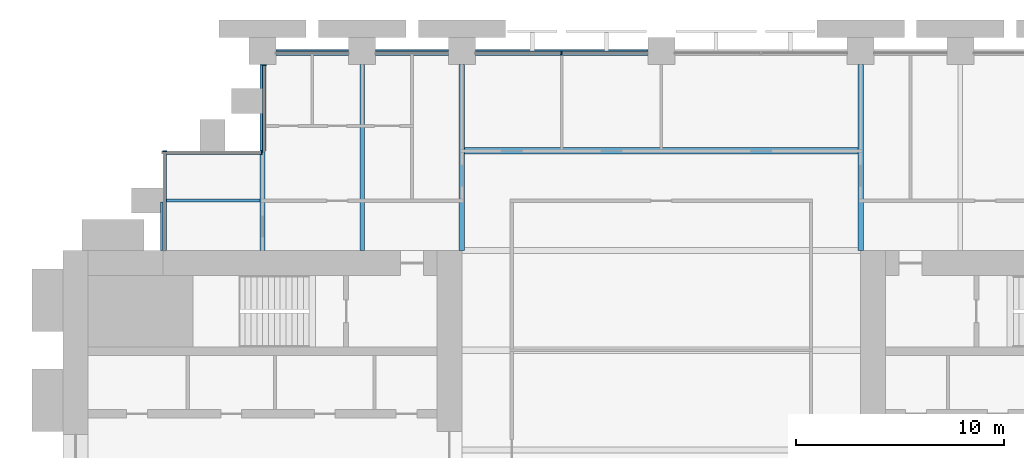
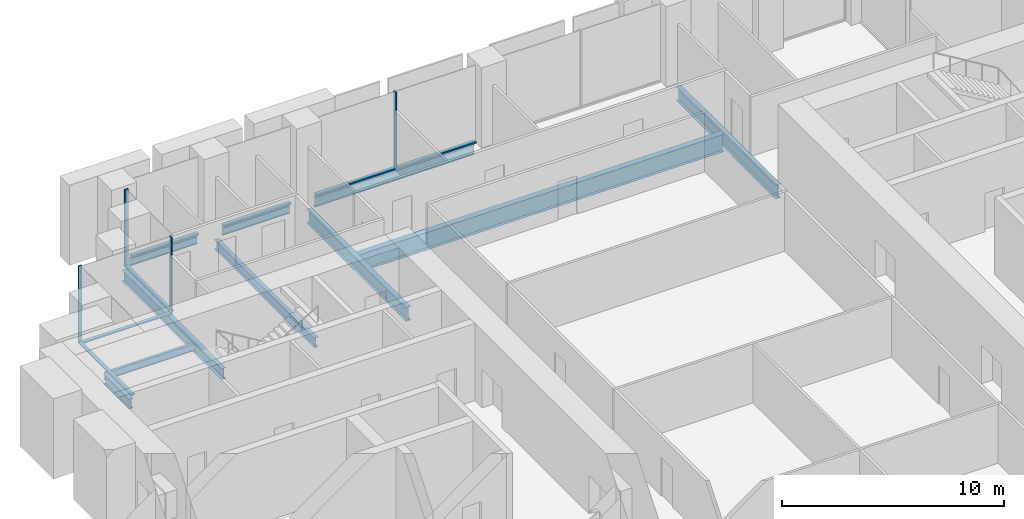
# One storey, part 14 of 30: 10 beams, 10 members, 4 elements without a shape of their own.
"""IFC4 building model written with IfcOpenShell, lengths in metres."""

from ifc_helpers import new_model, si_unit, direction, frame, origin, origin_2d, place, context, subcontext, project, spatial, rectangle, i_section, extrude, material, material_profile, profile_set, type_object, element, aggregate, save


model = new_model("IFC4")

# Units and contexts
model_context = context("Model", 3, precision=1e-05, world=origin(), true_north=direction((0.0, 1.0)))
body_context = subcontext(model_context, "Body", "Model", "MODEL_VIEW")
ifc_project = project(units=[si_unit("LENGTHUNIT", "METRE"), si_unit("AREAUNIT", "SQUARE_METRE"), si_unit("VOLUMEUNIT", "CUBIC_METRE"), si_unit("PLANEANGLEUNIT", "RADIAN"), si_unit("MASSUNIT", "GRAM", prefix="KILO")], contexts=[model_context])

# Site, building, storey
site_placement = place(None, origin())
site = spatial("IfcSite", under=ifc_project, at=site_placement, CompositionType="ELEMENT")
building_placement = place(site_placement, origin())
building = spatial("IfcBuilding", under=site, at=building_placement, Name="Baori Bourse Tower", CompositionType="ELEMENT")
storey_placement = place(building_placement, frame((0.0, 0.0, 17.0)))
storey = spatial("IfcBuildingStorey", under=building, at=storey_placement, Name="L02", CompositionType="ELEMENT", Elevation=17.0)

# Curtain wall, members
ifc_material_1 = material(Name="Pale anodised aluminium", Category="aluminium")
curtain_wall_type_1 = type_object("IfcCurtainWallType", Name="CW1 Curtain wall", PredefinedType="NOTDEFINED", material=ifc_material_1)
curtain_wall_1_placement = place(storey_placement, origin())
curtain_wall_1 = element("IfcCurtainWall", 1, at=curtain_wall_1_placement, inside=storey, type_object=curtain_wall_type_1, Name="Curtain wall CW1 L02 4", PredefinedType="NOTDEFINED")
ifc_material_2 = material(Name="Pale anodised aluminium", Category="aluminium")
ifc_material_profile_1 = material_profile(ifc_material_2, rectangle(XDim=0.199951171875, YDim=0.06005859375, at=origin_2d()), Name="Mullion 60x200")
ifc_profile_set_1 = profile_set([ifc_material_profile_1], Name="Pale anodised aluminium")
member_type_1 = type_object("IfcMemberType", Name="CW1 Curtain wall mullion", PredefinedType="MULLION", material=ifc_profile_set_1)
member_1_placement = place(storey_placement, frame((24.0, 47.89990234375, 0.080078125), z_axis=(0.0, 0.0, 1.0), x_axis=(0.0, -1.0, 0.0)))
member_1 = element("IfcMember", 2, at=member_1_placement, type_object=member_type_1, Name="Curtain wall CW1 mullion", PredefinedType="MULLION", context=body_context, shape_type="SweptSolid", body=[
    extrude(rectangle(XDim=0.199951171875, YDim=0.06005859375, at=origin_2d()), origin(), (0.0, 0.0, 1.0), 4.159912109375),
])
ifc_material_3 = material(Name="Pale anodised aluminium", Category="aluminium")
ifc_material_profile_2 = material_profile(ifc_material_3, rectangle(XDim=0.199951171875, YDim=0.080078125, at=origin_2d()), Name="Transom 80x200")
ifc_profile_set_2 = profile_set([ifc_material_profile_2], Name="Pale anodised aluminium")
member_type_2 = type_object("IfcMemberType", Name="CW1 Curtain wall transom", PredefinedType="USERDEFINED", material=ifc_profile_set_2)
member_2_placement = place(storey_placement, frame((28.14990234375, 47.89990234375, 0.0400390625), z_axis=(-1.0, 0.0, 0.0), x_axis=(0.0, -1.0, 0.0)))
member_2 = element("IfcMember", 3, at=member_2_placement, type_object=member_type_2, Name="Curtain wall CW1 sill rail", ObjectType="TRANSOM", PredefinedType="USERDEFINED", context=body_context, shape_type="SweptSolid", body=[
    extrude(rectangle(XDim=0.199951171875, YDim=0.080078125, at=origin_2d()), origin(), (0.0, 0.0, 1.0), 8.2998046875),
])
member_3_placement = place(storey_placement, frame((18.550048828125, 47.89990234375, 0.0400390625), z_axis=(-1.0, 0.0, 0.0), x_axis=(0.0, -1.0, 0.0)))
member_3 = element("IfcMember", 4, at=member_3_placement, type_object=member_type_2, Name="Curtain wall CW1 sill rail", ObjectType="TRANSOM", PredefinedType="USERDEFINED", context=body_context, shape_type="SweptSolid", body=[
    extrude(rectangle(XDim=0.199951171875, YDim=0.080078125, at=origin_2d()), origin(), (0.0, 0.0, 1.0), 3.5),
])
member_4_placement = place(storey_placement, frame((13.75, 47.89990234375, 0.0400390625), z_axis=(-1.0, 0.0, 0.0), x_axis=(0.0, -1.0, 0.0)))
member_4 = element("IfcMember", 5, at=member_4_placement, type_object=member_type_2, Name="Curtain wall CW1 sill rail", ObjectType="TRANSOM", PredefinedType="USERDEFINED", context=body_context, shape_type="SweptSolid", body=[
    extrude(rectangle(XDim=0.199951171875, YDim=0.080078125, at=origin_2d()), origin(), (0.0, 0.0, 1.0), 3.5),
])
aggregate(curtain_wall_1, [member_2, member_1, member_3, member_4])

# Curtain wall, member
ifc_material_4 = material(Name="Pale anodised aluminium", Category="aluminium")
curtain_wall_type_2 = type_object("IfcCurtainWallType", Name="CW2 Curtain wall", PredefinedType="NOTDEFINED", material=ifc_material_4)
curtain_wall_2_placement = place(storey_placement, origin())
curtain_wall_2 = element("IfcCurtainWall", 6, at=curtain_wall_2_placement, inside=storey, type_object=curtain_wall_type_2, Name="Curtain wall CW2 L02 5", PredefinedType="NOTDEFINED")
ifc_material_5 = material(Name="Pale anodised aluminium", Category="aluminium")
ifc_material_profile_3 = material_profile(ifc_material_5, rectangle(XDim=0.179931640625, YDim=0.054931640625, at=origin_2d()), Name="Mullion 55x180")
ifc_profile_set_3 = profile_set([ifc_material_profile_3], Name="Pale anodised aluminium")
member_type_3 = type_object("IfcMemberType", Name="CW2 Curtain wall mullion", PredefinedType="MULLION", material=ifc_profile_set_3)
member_5_placement = place(storey_placement, frame((9.68994140625, 47.322509765625, 0.070068359375), z_axis=(0.0, 0.0, 1.0), x_axis=(1.0, 0.0, 0.0)))
member_5 = element("IfcMember", 7, at=member_5_placement, type_object=member_type_3, Name="Curtain wall CW2 mullion", PredefinedType="MULLION", context=body_context, shape_type="SweptSolid", body=[
    extrude(rectangle(XDim=0.179931640625, YDim=0.054931640625, at=origin_2d()), origin(), (0.0, 0.0, 1.0), 4.169921875),
])

curtain_wall_3_placement = place(storey_placement, origin())
curtain_wall_3 = element("IfcCurtainWall", 8, at=curtain_wall_3_placement, inside=storey, type_object=curtain_wall_type_2, Name="Curtain wall CW2 L02 6", PredefinedType="NOTDEFINED")
member_6_placement = place(storey_placement, frame((9.572509765625, 43.110107421875, 0.070068359375), z_axis=(0.0, 0.0, 1.0), x_axis=(0.0, -1.0, 0.0)))
member_6 = element("IfcMember", 9, at=member_6_placement, type_object=member_type_3, Name="Curtain wall CW2 mullion", PredefinedType="MULLION", context=body_context, shape_type="SweptSolid", body=[
    extrude(rectangle(XDim=0.179931640625, YDim=0.054931640625, at=origin_2d()), origin(), (0.0, 0.0, 1.0), 4.169921875),
])

curtain_wall_4_placement = place(storey_placement, origin())
curtain_wall_4 = element("IfcCurtainWall", 10, at=curtain_wall_4_placement, inside=storey, type_object=curtain_wall_type_2, Name="Curtain wall CW2 L02 7", PredefinedType="NOTDEFINED")
member_7_placement = place(storey_placement, frame((4.889892578125, 43.172607421875, 0.070068359375), z_axis=(0.0, 0.0, 1.0), x_axis=(1.0, 0.0, 0.0)))
member_7 = element("IfcMember", 11, at=member_7_placement, type_object=member_type_3, Name="Curtain wall CW2 mullion", PredefinedType="MULLION", context=body_context, shape_type="SweptSolid", body=[
    extrude(rectangle(XDim=0.179931640625, YDim=0.054931640625, at=origin_2d()), origin(), (0.0, 0.0, 1.0), 4.169921875),
])

# Member
ifc_material_6 = material(Name="Pale anodised aluminium", Category="aluminium")
ifc_material_profile_4 = material_profile(ifc_material_6, rectangle(XDim=0.179931640625, YDim=0.070068359375, at=origin_2d()), Name="Transom 70x180")
ifc_profile_set_4 = profile_set([ifc_material_profile_4], Name="Pale anodised aluminium")
member_type_4 = type_object("IfcMemberType", Name="CW2 Curtain wall transom", PredefinedType="USERDEFINED", material=ifc_profile_set_4)
member_8_placement = place(storey_placement, frame((9.68994140625, 47.35009765625, 0.034912109375), z_axis=(0.0, -1.0, 0.0), x_axis=(1.0, 0.0, 0.0)))
member_8 = element("IfcMember", 12, at=member_8_placement, type_object=member_type_4, Name="Curtain wall CW2 sill rail", ObjectType="TRANSOM", PredefinedType="USERDEFINED", context=body_context, shape_type="SweptSolid", body=[
    extrude(rectangle(XDim=0.179931640625, YDim=0.070068359375, at=origin_2d()), origin(), (0.0, 0.0, 1.0), 4.150146484375),
])

aggregate(curtain_wall_2, [member_8, member_5])

member_9_placement = place(storey_placement, frame((9.60009765625, 43.110107421875, 0.034912109375), z_axis=(-1.0, 0.0, 0.0), x_axis=(0.0, -1.0, 0.0)))
member_9 = element("IfcMember", 13, at=member_9_placement, type_object=member_type_4, Name="Curtain wall CW2 sill rail", ObjectType="TRANSOM", PredefinedType="USERDEFINED", context=body_context, shape_type="SweptSolid", body=[
    extrude(rectangle(XDim=0.179931640625, YDim=0.070068359375, at=origin_2d()), origin(), (0.0, 0.0, 1.0), 4.800048828125),
])

aggregate(curtain_wall_3, [member_9, member_6])

member_10_placement = place(storey_placement, frame((4.889892578125, 43.199951171875, 0.034912109375), z_axis=(0.0, -1.0, 0.0), x_axis=(1.0, 0.0, 0.0)))
member_10 = element("IfcMember", 14, at=member_10_placement, type_object=member_type_4, Name="Curtain wall CW2 sill rail", ObjectType="TRANSOM", PredefinedType="USERDEFINED", context=body_context, shape_type="SweptSolid", body=[
    extrude(rectangle(XDim=0.179931640625, YDim=0.070068359375, at=origin_2d()), origin(), (0.0, 0.0, 1.0), 4.800048828125),
])

aggregate(curtain_wall_4, [member_10, member_7])

# Beams
ifc_material_7 = material(Name="Steel A992 Gr 50", Category="steel")
ifc_material_profile_5 = material_profile(ifc_material_7, i_section(OverallWidth=0.21240234375, OverallDepth=0.54345703125, WebThickness=0.01318359375, FlangeThickness=0.021240234375, at=origin_2d()), Name="W21x83")
ifc_profile_set_5 = profile_set([ifc_material_profile_5], Name="Steel A992 Gr 50")
beam_type_1 = type_object("IfcBeamType", Name="Core bracket W21x83", PredefinedType="BEAM", material=ifc_profile_set_5)
beam_1_placement = place(storey_placement, frame((4.800048828125, 38.39990234375, -0.431884765625), z_axis=(0.0, 1.0, 0.0), x_axis=(-1.0, 0.0, 0.0)))
element("IfcBeam", 15, at=beam_1_placement, inside=storey, type_object=beam_type_1, Name="Core bracket L02", PredefinedType="BEAM", context=body_context, shape_type="SweptSolid", body=[
    extrude(i_section(OverallWidth=0.21240234375, OverallDepth=0.54345703125, WebThickness=0.01318359375, FlangeThickness=0.021240234375, at=origin_2d()), origin(), (0.0, 0.0, 1.0), 2.329833984375),
])
ifc_material_8 = material(Name="Steel A992 Gr 50", Category="steel")
ifc_material_profile_6 = material_profile(ifc_material_8, i_section(OverallWidth=0.140380859375, OverallDepth=0.40380859375, WebThickness=0.007080078125, FlangeThickness=0.01123046875, at=origin_2d()), Name="W16x31")
ifc_profile_set_6 = profile_set([ifc_material_profile_6], Name="Steel A992 Gr 50")
beam_type_2 = type_object("IfcBeamType", Name="Edge beam W16x31", PredefinedType="BEAM", material=ifc_profile_set_6)
for number, where, z_axis, x_axis, name in (
    (16, (10.25, 48.0, -0.36181640625), (1.0, 0.0, 0.0), (0.0, 1.0, 0.0), "Edge beam L02"),
    (17, (15.050048828125, 48.0, -0.36181640625), (1.0, 0.0, 0.0), (0.0, 1.0, 0.0), "Edge beam L02"),
):
    element("IfcBeam", number, at=place(storey_placement, frame(where, z_axis=z_axis, x_axis=x_axis)), inside=storey, type_object=beam_type_2, Name=name, PredefinedType="BEAM", context=body_context, shape_type="SweptSolid", body=[
        extrude(i_section(OverallWidth=0.140380859375, OverallDepth=0.40380859375, WebThickness=0.007080078125, FlangeThickness=0.01123046875, at=origin_2d()), origin(), (0.0, 0.0, 1.0), 3.5),
    ])
ifc_material_9 = material(Name="Steel A992 Gr 50", Category="steel")
ifc_material_profile_7 = material_profile(ifc_material_9, i_section(OverallWidth=0.1650390625, OverallDepth=0.52587890625, WebThickness=0.0087890625, FlangeThickness=0.011474609375, at=origin_2d()), Name="W21x44")
ifc_profile_set_7 = profile_set([ifc_material_profile_7], Name="Steel A992 Gr 50")
beam_type_3 = type_object("IfcBeamType", Name="Edge beam W21x44", PredefinedType="BEAM", material=ifc_profile_set_7)
beam_2_placement = place(storey_placement, frame((19.85009765625, 48.0, -0.4228515625), z_axis=(1.0, 0.0, 0.0), x_axis=(0.0, 1.0, 0.0)))
element("IfcBeam", 18, at=beam_2_placement, inside=storey, type_object=beam_type_3, Name="Edge beam L02", PredefinedType="BEAM", context=body_context, shape_type="SweptSolid", body=[
    extrude(i_section(OverallWidth=0.1650390625, OverallDepth=0.52587890625, WebThickness=0.0087890625, FlangeThickness=0.011474609375, at=origin_2d()), origin(), (0.0, 0.0, 1.0), 8.2998046875),
])
ifc_material_10 = material(Name="Steel A992 Gr 50", Category="steel")
ifc_material_profile_8 = material_profile(ifc_material_10, i_section(OverallWidth=0.209228515625, OverallDepth=0.533447265625, WebThickness=0.01025390625, FlangeThickness=0.015625, at=origin_2d()), Name="W21x62")
ifc_profile_set_8 = profile_set([ifc_material_profile_8], Name="Steel A992 Gr 50")
beam_type_4 = type_object("IfcBeamType", Name="Floor beam W21x62", PredefinedType="BEAM", material=ifc_profile_set_8)
beam_3_placement = place(storey_placement, frame((14.39990234375, 38.39990234375, -0.4267578125), z_axis=(0.0, 1.0, 0.0), x_axis=(-1.0, 0.0, 0.0)))
element("IfcBeam", 19, at=beam_3_placement, inside=storey, type_object=beam_type_4, Name="Floor beam L02", PredefinedType="BEAM", context=body_context, shape_type="SweptSolid", body=[
    extrude(i_section(OverallWidth=0.209228515625, OverallDepth=0.533447265625, WebThickness=0.01025390625, FlangeThickness=0.015625, at=origin_2d()), origin(), (0.0, 0.0, 1.0), 8.9501953125),
])
ifc_material_11 = material(Name="Steel A992 Gr 50", Category="steel")
ifc_material_profile_9 = material_profile(ifc_material_11, i_section(OverallWidth=0.227783203125, OverallDepth=0.60205078125, WebThickness=0.010498046875, FlangeThickness=0.014892578125, at=origin_2d()), Name="W24x68")
ifc_profile_set_9 = profile_set([ifc_material_profile_9], Name="Steel A992 Gr 50")
beam_type_5 = type_object("IfcBeamType", Name="Floor beam W24x68", PredefinedType="BEAM", material=ifc_profile_set_9)
beam_4_placement = place(storey_placement, frame((9.60009765625, 38.39990234375, -0.4609375), z_axis=(0.0, 1.0, 0.0), x_axis=(-1.0, 0.0, 0.0)))
element("IfcBeam", 20, at=beam_4_placement, inside=storey, type_object=beam_type_5, Name="Floor beam L02", PredefinedType="BEAM", context=body_context, shape_type="SweptSolid", body=[
    extrude(i_section(OverallWidth=0.227783203125, OverallDepth=0.60205078125, WebThickness=0.010498046875, FlangeThickness=0.014892578125, at=origin_2d()), origin(), (0.0, 0.0, 1.0), 8.9501953125),
])
ifc_material_12 = material(Name="Steel A992 Gr 50", Category="steel")
ifc_material_profile_10 = material_profile(ifc_material_12, i_section(OverallWidth=0.2998046875, OverallDepth=0.97021484375, WebThickness=0.01611328125, FlangeThickness=0.02099609375, at=origin_2d()), Name="W40x149")
ifc_profile_set_10 = profile_set([ifc_material_profile_10], Name="Steel A992 Gr 50")
beam_type_6 = type_object("IfcBeamType", Name="Floor beam W40x149", PredefinedType="BEAM", material=ifc_profile_set_10)
beam_5_placement = place(storey_placement, frame((19.333251953125, 43.199951171875, -0.64501953125), z_axis=(1.0, 0.0, 0.0), x_axis=(0.0, 1.0, 0.0)))
element("IfcBeam", 21, at=beam_5_placement, inside=storey, type_object=beam_type_6, Name="Floor beam L02", PredefinedType="BEAM", context=body_context, shape_type="SweptSolid", body=[
    extrude(i_section(OverallWidth=0.2998046875, OverallDepth=0.97021484375, WebThickness=0.01611328125, FlangeThickness=0.02099609375, at=origin_2d()), origin(), (0.0, 0.0, 1.0), 18.933349609375),
])
ifc_material_13 = material(Name="Steel A992 Gr 50", Category="steel")
ifc_material_profile_11 = material_profile(ifc_material_13, i_section(OverallWidth=0.2666015625, OverallDepth=0.7568359375, WebThickness=0.013916015625, FlangeThickness=0.019287109375, at=origin_2d()), Name="W30x108")
ifc_profile_set_11 = profile_set([ifc_material_profile_11], Name="Steel A992 Gr 50")
beam_type_7 = type_object("IfcBeamType", Name="Girder W30x108", PredefinedType="BEAM", material=ifc_profile_set_11)
for number, where, z_axis, x_axis, name in (
    (22, (19.199951171875, 38.39990234375, -0.53857421875), (0.0, 1.0, 0.0), (-1.0, 0.0, 0.0), "Girder L02"),
    (23, (38.39990234375, 38.39990234375, -0.53857421875), (0.0, 1.0, 0.0), (-1.0, 0.0, 0.0), "Girder L02"),
):
    element("IfcBeam", number, at=place(storey_placement, frame(where, z_axis=z_axis, x_axis=x_axis)), inside=storey, type_object=beam_type_7, Name=name, PredefinedType="BEAM", context=body_context, shape_type="SweptSolid", body=[
        extrude(i_section(OverallWidth=0.2666015625, OverallDepth=0.7568359375, WebThickness=0.013916015625, FlangeThickness=0.019287109375, at=origin_2d()), origin(), (0.0, 0.0, 1.0), 8.9501953125),
    ])
ifc_material_14 = material(Name="Steel A992 Gr 50", Category="steel")
ifc_material_profile_12 = material_profile(ifc_material_14, i_section(OverallWidth=0.140380859375, OverallDepth=0.40380859375, WebThickness=0.007080078125, FlangeThickness=0.01123046875, at=origin_2d()), Name="W16x31")
ifc_profile_set_12 = profile_set([ifc_material_profile_12], Name="Steel A992 Gr 50")
beam_type_8 = type_object("IfcBeamType", Name="Trimmer beam W16x31", PredefinedType="BEAM", material=ifc_profile_set_12)
beam_6_placement = place(storey_placement, frame((4.800048828125, 40.800048828125, -0.36181640625), z_axis=(1.0, 0.0, 0.0), x_axis=(0.0, 1.0, 0.0)))
element("IfcBeam", 24, at=beam_6_placement, inside=storey, type_object=beam_type_8, Name="Trimmer beam L02", PredefinedType="BEAM", context=body_context, shape_type="SweptSolid", body=[
    extrude(i_section(OverallWidth=0.140380859375, OverallDepth=0.40380859375, WebThickness=0.007080078125, FlangeThickness=0.01123046875, at=origin_2d()), origin(), (0.0, 0.0, 1.0), 4.68603515625),
])

save(model, "model.ifc")
